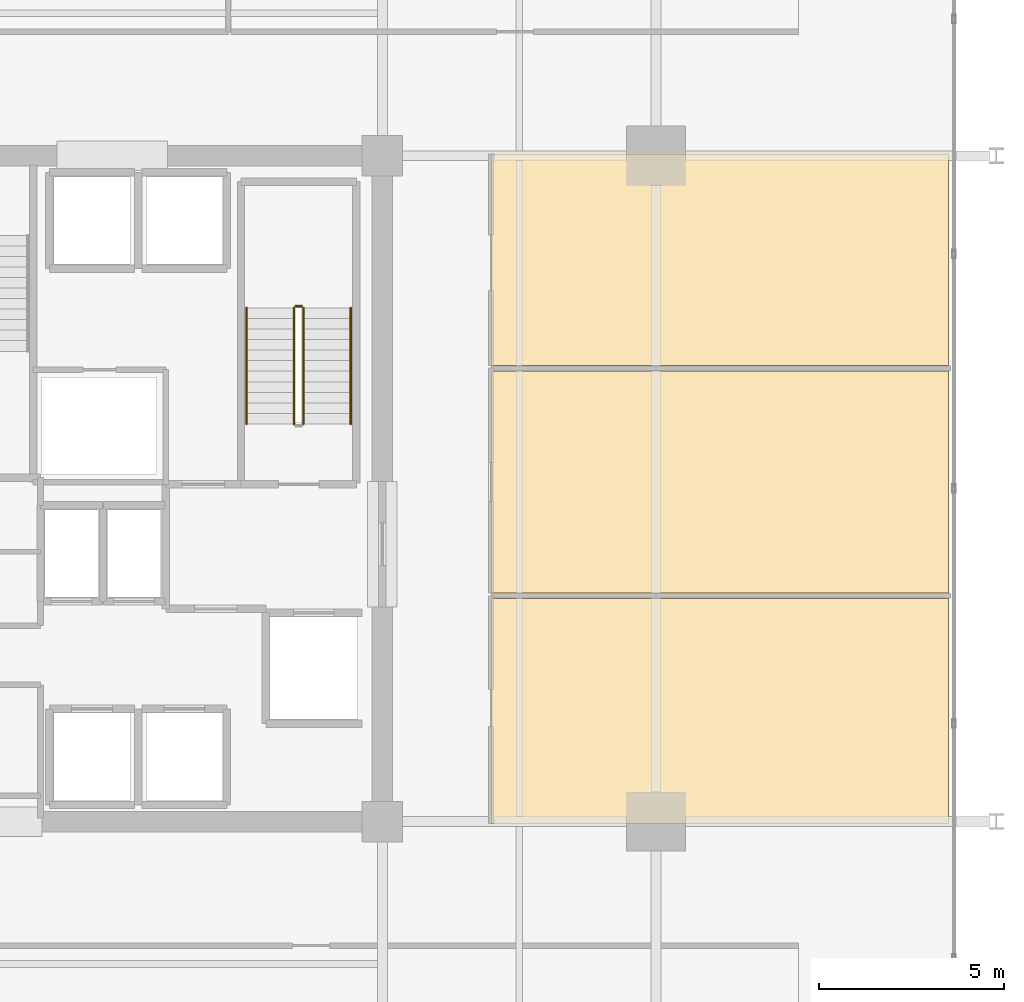
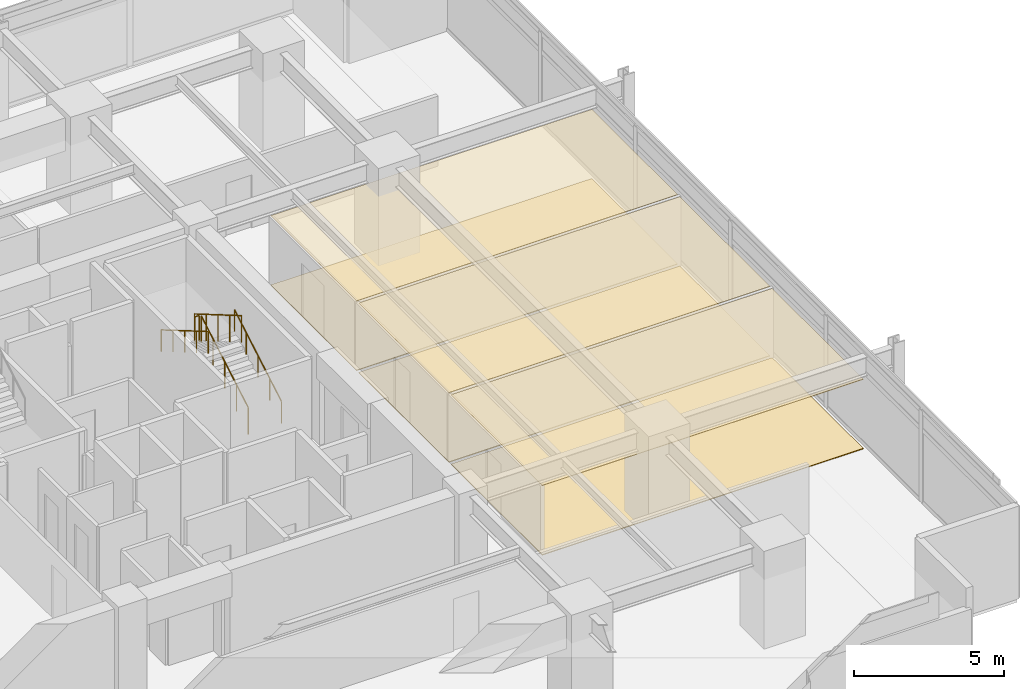
# One storey, part 21 of 23: 6 coverings, 5 railings.
"""IFC4 building model written with IfcOpenShell, lengths in metres."""

from ifc_helpers import new_model, si_unit, direction, frame, origin, origin_2d, place, context, subcontext, project, spatial, polyline, circle, outline, extrude, material, layer, layer_set, type_object, element, save


model = new_model("IFC4")

# Units and contexts
model_context = context("Model", 3, precision=1e-05, world=origin(), true_north=direction((0.0, 1.0)))
body_context = subcontext(model_context, "Body", "Model", "MODEL_VIEW")
ifc_project = project(units=[si_unit("LENGTHUNIT", "METRE"), si_unit("AREAUNIT", "SQUARE_METRE"), si_unit("VOLUMEUNIT", "CUBIC_METRE"), si_unit("PLANEANGLEUNIT", "RADIAN"), si_unit("MASSUNIT", "GRAM", prefix="KILO")], contexts=[model_context])

# Site, building, storey
site_placement = place(None, origin())
site = spatial("IfcSite", under=ifc_project, at=site_placement, CompositionType="ELEMENT")
building_placement = place(site_placement, origin())
building = spatial("IfcBuilding", under=site, at=building_placement, Name="Kovane Verandah Tower", CompositionType="ELEMENT")
storey_placement = place(building_placement, frame((0.0, 0.0, 140.39990234375)))
storey = spatial("IfcBuildingStorey", under=building, at=storey_placement, Name="L32", CompositionType="ELEMENT", Elevation=140.39990234375)

# Coverings
ifc_material_1 = material(Name="Perforated Acoustic Mineral-Fibre Ceiling Tile", Category="gypsum")
ifc_layer_1 = layer(ifc_material_1, 0.02490234375)
ifc_layer_set_1 = layer_set([ifc_layer_1], Name="Perforated Acoustic Mineral-Fibre Ceiling Tile")
covering_type_1 = type_object("IfcCoveringType", Name="CV-CEIL-25", PredefinedType="CEILING", material=ifc_layer_set_1)
covering_1_placement = place(storey_placement, frame((0.0, 0.0, 2.8251953125)))
element("IfcCovering", 1, at=covering_1_placement, inside=storey, type_object=covering_type_1, Name="L32 Open Plan Office E1 Acoustic Ceiling", PredefinedType="CEILING", context=body_context, shape_type="SweptSolid", body=[
    extrude(outline(polyline([(53.949951171875, 18.449951171875), (66.30615234375, 18.449951171875), (66.30615234375, 24.533935546875), (53.949951171875, 24.533935546875), (53.949951171875, 18.449951171875)])), origin(), (0.0, 0.0, 1.0), 0.02490234375),
])
covering_2_placement = place(storey_placement, frame((0.0, 0.0, 2.8251953125)))
element("IfcCovering", 2, at=covering_2_placement, inside=storey, type_object=covering_type_1, Name="L32 Executive Office E2 Acoustic Ceiling", PredefinedType="CEILING", context=body_context, shape_type="SweptSolid", body=[
    extrude(outline(polyline([(53.949951171875, 24.674072265625), (66.30615234375, 24.674072265625), (66.30615234375, 30.68798828125), (53.949951171875, 30.68798828125), (53.949951171875, 24.674072265625)])), origin(), (0.0, 0.0, 1.0), 0.02490234375),
])
covering_3_placement = place(storey_placement, frame((0.0, 0.0, 2.8251953125)))
element("IfcCovering", 3, at=covering_3_placement, inside=storey, type_object=covering_type_1, Name="L32 Client Boardroom E3 Acoustic Ceiling", PredefinedType="CEILING", context=body_context, shape_type="SweptSolid", body=[
    extrude(outline(polyline([(53.949951171875, 30.827880859375), (66.30615234375, 30.827880859375), (66.30615234375, 36.550048828125), (53.949951171875, 36.550048828125), (53.949951171875, 30.827880859375)])), origin(), (0.0, 0.0, 1.0), 0.02490234375),
])
ifc_material_2 = material(Name="Polished Terrazzo and Raised-Access Carpet Tile Finish", Category="concrete")
ifc_layer_2 = layer(ifc_material_2, 0.030029296875)
ifc_layer_set_2 = layer_set([ifc_layer_2], Name="Polished Terrazzo and Raised-Access Carpet Tile Finish")
covering_type_2 = type_object("IfcCoveringType", Name="CV-FLOR-30", PredefinedType="FLOORING", material=ifc_layer_set_2)
covering_4_placement = place(storey_placement, origin())
element("IfcCovering", 4, at=covering_4_placement, inside=storey, type_object=covering_type_2, Name="L32 Open Plan Office E1 Floor Finish", PredefinedType="FLOORING", context=body_context, shape_type="SweptSolid", body=[
    extrude(outline(polyline([(53.949951171875, 18.449951171875), (66.30615234375, 18.449951171875), (66.30615234375, 24.533935546875), (53.949951171875, 24.533935546875), (53.949951171875, 18.449951171875)])), origin(), (0.0, 0.0, 1.0), 0.030029296875),
])
covering_5_placement = place(storey_placement, origin())
element("IfcCovering", 5, at=covering_5_placement, inside=storey, type_object=covering_type_2, Name="L32 Executive Office E2 Floor Finish", PredefinedType="FLOORING", context=body_context, shape_type="SweptSolid", body=[
    extrude(outline(polyline([(53.949951171875, 24.674072265625), (66.30615234375, 24.674072265625), (66.30615234375, 30.68798828125), (53.949951171875, 30.68798828125), (53.949951171875, 24.674072265625)])), origin(), (0.0, 0.0, 1.0), 0.030029296875),
])
covering_6_placement = place(storey_placement, origin())
element("IfcCovering", 6, at=covering_6_placement, inside=storey, type_object=covering_type_2, Name="L32 Client Boardroom E3 Floor Finish", PredefinedType="FLOORING", context=body_context, shape_type="SweptSolid", body=[
    extrude(outline(polyline([(53.949951171875, 30.827880859375), (66.30615234375, 30.827880859375), (66.30615234375, 36.550048828125), (53.949951171875, 36.550048828125), (53.949951171875, 30.827880859375)])), origin(), (0.0, 0.0, 1.0), 0.030029296875),
])

# Railings
ifc_material_3 = material(Name="Brushed Stainless Steel Handrail", Category="steel")
railing_type_1 = type_object("IfcRailingType", Name="RL-HAND-920", PredefinedType="HANDRAIL", material=ifc_material_3)
railing_1_placement = place(storey_placement, frame((50.14990234375, 29.25, 0.166748046875)))
element("IfcRailing", 7, at=railing_1_placement, inside=storey, type_object=railing_type_1, Name="L32 ST-02 stair handrail 1", PredefinedType="HANDRAIL", context=body_context, shape_type="SweptSolid", body=[
    extrude(circle(Radius=0.02392578125, at=origin_2d()), frame((0.0, 0.0, 0.8759765625), z_axis=(0.0, 0.863239559939, 0.504794475164), x_axis=(-1.0, 0.0, 0.0)), (0.0, 0.0, 1.0), 3.631591796875),
    extrude(circle(Radius=0.02099609375, at=origin_2d()), origin(), (0.0, 0.0, 1.0), 0.851806640625),
    extrude(circle(Radius=0.02099609375, at=origin_2d()), frame((0.0, 0.78369140625, 0.458251953125)), (0.0, 0.0, 1.0), 0.851806640625),
    extrude(circle(Radius=0.02099609375, at=origin_2d()), frame((0.0, 1.5673828125, 0.91650390625)), (0.0, 0.0, 1.0), 0.851806640625),
    extrude(circle(Radius=0.02099609375, at=origin_2d()), frame((0.0, 2.351318359375, 1.375)), (0.0, 0.0, 1.0), 0.851806640625),
    extrude(circle(Radius=0.02099609375, at=origin_2d()), frame((0.0, 3.135009765625, 1.833251953125)), (0.0, 0.0, 1.0), 0.851806640625),
])
railing_2_placement = place(storey_placement, frame((47.330078125, 32.385009765625, 2.166748046875)))
element("IfcRailing", 8, at=railing_2_placement, inside=storey, type_object=railing_type_1, Name="L32 ST-02 stair handrail 2", PredefinedType="HANDRAIL", context=body_context, shape_type="SweptSolid", body=[
    extrude(circle(Radius=0.02392578125, at=origin_2d()), frame((0.0, 0.0, 0.8759765625), z_axis=(0.0, -0.863239559939, 0.504794475164), x_axis=(1.0, 0.0, 0.0)), (0.0, 0.0, 1.0), 3.631591796875),
    extrude(circle(Radius=0.02099609375, at=origin_2d()), origin(), (0.0, 0.0, 1.0), 0.851806640625),
    extrude(circle(Radius=0.02099609375, at=origin_2d()), frame((0.0, -0.78369140625, 0.458251953125)), (0.0, 0.0, 1.0), 0.851806640625),
    extrude(circle(Radius=0.02099609375, at=origin_2d()), frame((0.0, -1.5673828125, 0.91650390625)), (0.0, 0.0, 1.0), 0.851806640625),
    extrude(circle(Radius=0.02099609375, at=origin_2d()), frame((0.0, -2.351318359375, 1.375)), (0.0, 0.0, 1.0), 0.851806640625),
    extrude(circle(Radius=0.02099609375, at=origin_2d()), frame((0.0, -3.135009765625, 1.833251953125)), (0.0, 0.0, 1.0), 0.851806640625),
])
ifc_material_4 = material(Name="Painted Steel Stairwell Guardrail", Category="steel")
railing_type_2 = type_object("IfcRailingType", Name="RL-STGUARD-1120", PredefinedType="GUARDRAIL", material=ifc_material_4)
railing_3_placement = place(storey_placement, frame((48.8701171875, 29.25, 0.166748046875)))
element("IfcRailing", 9, at=railing_3_placement, inside=storey, type_object=railing_type_2, Name="L32 ST-02 stair guard 1", PredefinedType="GUARDRAIL", context=body_context, shape_type="SweptSolid", body=[
    extrude(circle(Radius=0.02392578125, at=origin_2d()), frame((0.0, 0.0, 1.076171875), z_axis=(0.0, 0.863239559939, 0.504794475164), x_axis=(-1.0, 0.0, 0.0)), (0.0, 0.0, 1.0), 3.631591796875),
    extrude(circle(Radius=0.02099609375, at=origin_2d()), origin(), (0.0, 0.0, 1.0), 1.052001953125),
    extrude(circle(Radius=0.02099609375, at=origin_2d()), frame((0.0, 0.78369140625, 0.458251953125)), (0.0, 0.0, 1.0), 1.052001953125),
    extrude(circle(Radius=0.02099609375, at=origin_2d()), frame((0.0, 1.5673828125, 0.91650390625)), (0.0, 0.0, 1.0), 1.052001953125),
    extrude(circle(Radius=0.02099609375, at=origin_2d()), frame((0.0, 2.351318359375, 1.375)), (0.0, 0.0, 1.0), 1.052001953125),
    extrude(circle(Radius=0.02099609375, at=origin_2d()), frame((0.0, 3.135009765625, 1.833251953125)), (0.0, 0.0, 1.0), 1.052001953125),
])
railing_4_placement = place(storey_placement, frame((48.820068359375, 32.43505859375, 2.0)))
element("IfcRailing", 10, at=railing_4_placement, inside=storey, type_object=railing_type_2, Name="L32 ST-02 stair guard 2", PredefinedType="GUARDRAIL", context=body_context, shape_type="SweptSolid", body=[
    extrude(circle(Radius=0.02392578125, at=origin_2d()), frame((0.0, 0.0, 1.076171875), z_axis=(-1.0, 0.0, 0.0), x_axis=(0.0, -1.0, 0.0)), (0.0, 0.0, 1.0), 0.16015625),
    extrude(circle(Radius=0.02099609375, at=origin_2d()), origin(), (0.0, 0.0, 1.0), 1.052001953125),
    extrude(circle(Radius=0.02099609375, at=origin_2d()), frame((-0.16015625, 0.0, 0.0)), (0.0, 0.0, 1.0), 1.052001953125),
])
railing_5_placement = place(storey_placement, frame((48.610107421875, 32.385009765625, 2.166748046875)))
element("IfcRailing", 11, at=railing_5_placement, inside=storey, type_object=railing_type_2, Name="L32 ST-02 stair guard 3", PredefinedType="GUARDRAIL", context=body_context, shape_type="SweptSolid", body=[
    extrude(circle(Radius=0.02392578125, at=origin_2d()), frame((0.0, 0.0, 1.076171875), z_axis=(0.0, -0.863239559939, 0.504794475164), x_axis=(1.0, 0.0, 0.0)), (0.0, 0.0, 1.0), 3.631591796875),
    extrude(circle(Radius=0.02099609375, at=origin_2d()), origin(), (0.0, 0.0, 1.0), 1.052001953125),
    extrude(circle(Radius=0.02099609375, at=origin_2d()), frame((0.0, -0.78369140625, 0.458251953125)), (0.0, 0.0, 1.0), 1.052001953125),
    extrude(circle(Radius=0.02099609375, at=origin_2d()), frame((0.0, -1.5673828125, 0.91650390625)), (0.0, 0.0, 1.0), 1.052001953125),
    extrude(circle(Radius=0.02099609375, at=origin_2d()), frame((0.0, -2.351318359375, 1.375)), (0.0, 0.0, 1.0), 1.052001953125),
    extrude(circle(Radius=0.02099609375, at=origin_2d()), frame((0.0, -3.135009765625, 1.833251953125)), (0.0, 0.0, 1.0), 1.052001953125),
])

save(model, "model.ifc")
